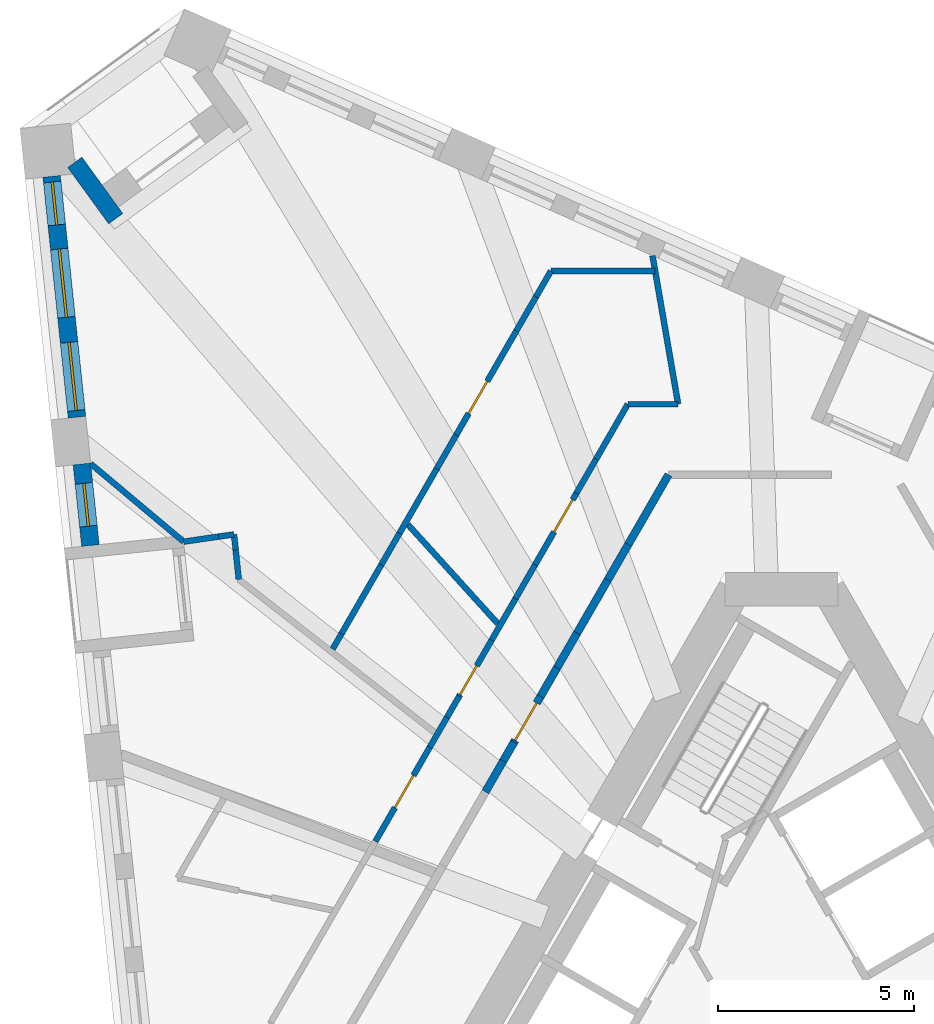
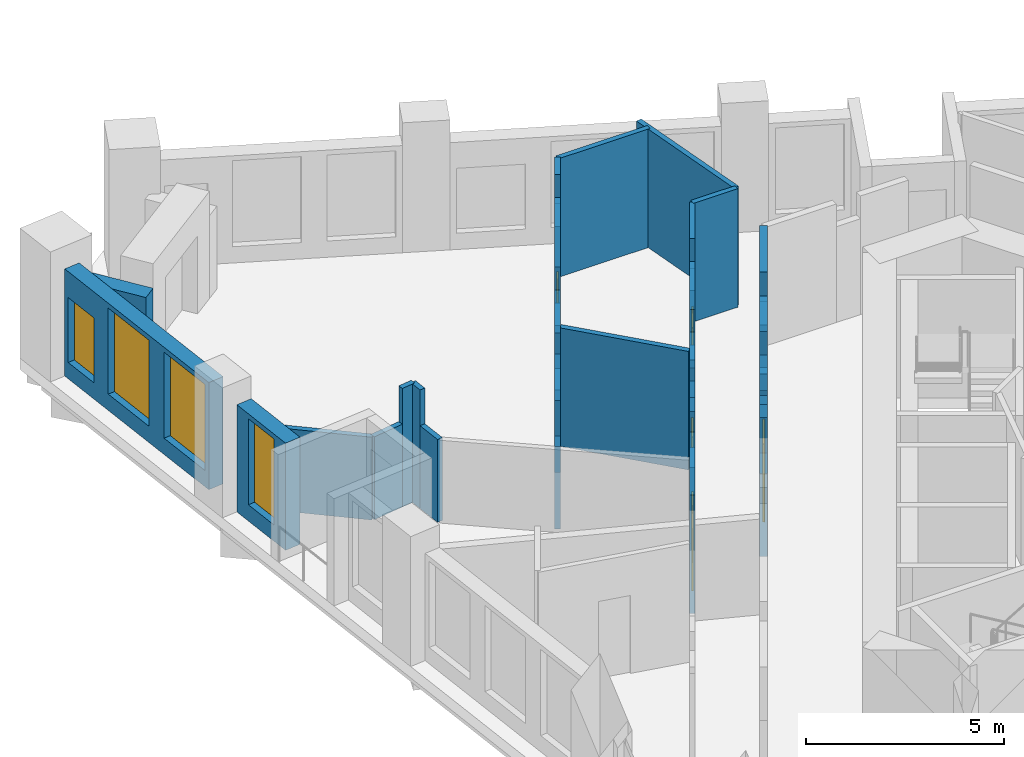
# One storey, part 7 of 14: 37 walls, 5 doors, 4 windows, 9 openings.
"""IFC4 building model written with IfcOpenShell, lengths in metres."""

from ifc_helpers import new_model, si_unit, direction, frame, frame_2d, origin, place, context, subcontext, project, spatial, polyline, rectangle, outline, extrude, material, layer, layer_set, type_object, element, fill, save


model = new_model("IFC4")

# Units and contexts
model_context = context("Model", 3, precision=1e-05, world=origin(), true_north=direction((0.0, 1.0)))
body_context = subcontext(model_context, "Body", "Model", "MODEL_VIEW")
ifc_project = project(units=[si_unit("LENGTHUNIT", "METRE"), si_unit("AREAUNIT", "SQUARE_METRE"), si_unit("VOLUMEUNIT", "CUBIC_METRE"), si_unit("PLANEANGLEUNIT", "RADIAN"), si_unit("MASSUNIT", "GRAM", prefix="KILO")], contexts=[model_context])

# Site, building, storey
site_placement = place(None, origin())
site = spatial("IfcSite", under=ifc_project, at=site_placement, CompositionType="ELEMENT")
building_placement = place(site_placement, origin())
building = spatial("IfcBuilding", under=site, at=building_placement, Name="Tramontana Tower", CompositionType="ELEMENT")
storey_placement = place(building_placement, frame((0.0, 0.0, 190.800048828125)))
storey = spatial("IfcBuildingStorey", under=building, at=storey_placement, Name="L44", CompositionType="ELEMENT", Elevation=190.800048828125)

# Walls
ifc_material_1 = material(Name="Blockwork", Category="masonry")
ifc_layer_1 = layer(ifc_material_1, 0.199951171875)
ifc_layer_set_1 = layer_set([ifc_layer_1], Name="ENTRY WALL 200")
wall_type_1 = type_object("IfcWallType", Name="ENTRY WALL 200", PredefinedType="SOLIDWALL", material=ifc_layer_set_1)
wall_1_placement = place(storey_placement, frame((-7.561279296875, 5.403564453125, 0.0), z_axis=(0.0, 0.0, 1.0), x_axis=(0.499977996243, 0.866038107287, 0.0)))
element("IfcWall", 1, at=wall_1_placement, inside=storey, type_object=wall_type_1, Name="Wall v42-ew4-5", PredefinedType="SOLIDWALL", context=body_context, shape_type="SweptSolid", body=[
    extrude(rectangle(XDim=0.90966796875, YDim=0.199951171875, at=frame_2d((0.454833984375, 0.0))), origin(), (0.0, 0.0, 1.0), 2.550048828125),
])
wall_2_placement = place(storey_placement, frame((-7.1064453125, 6.19140625, 0.0), z_axis=(0.0, 0.0, 1.0), x_axis=(0.499986818241, 0.866033014143, 0.0)))
element("IfcWall", 2, at=wall_2_placement, inside=storey, type_object=wall_type_1, Name="Wall v42-ew4-6", PredefinedType="SOLIDWALL", context=body_context, shape_type="SweptSolid", body=[
    extrude(rectangle(XDim=0.5595703125, YDim=0.199951171875, at=frame_2d((0.27978515625, 0.0))), origin(), (0.0, 0.0, 1.0), 3.64990234375),
])

# Wall, opening, door
wall_3_placement = place(storey_placement, frame((-6.82666015625, 6.676025390625, 0.0), z_axis=(0.0, 0.0, 1.0), x_axis=(0.500062873969, 0.865989100438, 0.0)))
wall_3 = element("IfcWall", 3, at=wall_3_placement, inside=storey, type_object=wall_type_1, Name="Wall v42-ew4-7", PredefinedType="SOLIDWALL", context=body_context, shape_type="SweptSolid", body=[
    extrude(outline(polyline([(0.0, 0.0), (1.344970703125, 0.0), (1.344970703125, 2.550048828125), (0.391357421875, 2.550048828125), (0.391357421875, 3.64990234375), (0.0, 3.64990234375), (0.0, 0.0)])), frame((0.0, 0.10009765625, 0.0), z_axis=(0.0, -1.0, 0.0), x_axis=(1.0, 0.0, 0.0)), (0.0, 0.0, 1.0), 0.199951171875),
])
opening_1_placement = place(wall_3_placement, frame((0.050048828125, 0.0, 0.0)))
opening_1 = element("IfcOpeningElement", 4, at=opening_1_placement, cuts=wall_3, Name="Opening B4C-19", PredefinedType="OPENING", context=body_context, shape_type="SweptSolid", body=[
    extrude(rectangle(XDim=1.10009765625, YDim=2.39990234375, at=frame_2d((0.550048828125, 1.199951171875))), frame((0.0, 0.10986328125, 0.0), z_axis=(0.0, -1.0, 0.0), x_axis=(1.0, 0.0, 0.0)), (0.0, 0.0, 1.0), 0.219970703125),
])
ifc_material_2 = material(Name="Painted timber", Category="wood")
door_type_1 = type_object("IfcDoorType", Name="DOOR ENTRY 1100", OperationType="SINGLE_SWING_LEFT", PredefinedType="DOOR", material=ifc_material_2)
door_1_placement = place(opening_1_placement, origin())
door_1 = element("IfcDoor", 5, at=door_1_placement, inside=storey, type_object=door_type_1, Name="Door B4C-19", OperationType="SINGLE_SWING_LEFT", OverallHeight=2.39990234375, OverallWidth=1.10009765625, PredefinedType="DOOR", context=body_context, shape_type="SweptSolid", body=[
    extrude(rectangle(XDim=1.10009765625, YDim=2.39990234375, at=frame_2d((0.550048828125, 1.199951171875))), frame((0.0, 0.02490234375, 0.0), z_axis=(0.0, -1.0, 0.0), x_axis=(1.0, 0.0, 0.0)), (0.0, 0.0, 1.0), 0.050048828125),
])
fill(opening_1, door_1)

# Walls
wall_4_placement = place(storey_placement, frame((-6.154052734375, 7.8408203125, 0.0), z_axis=(0.0, 0.0, 1.0), x_axis=(0.499822960955, 0.8661275932, 0.0)))
element("IfcWall", 6, at=wall_4_placement, inside=storey, type_object=wall_type_1, Name="Wall v42-ew4-8", PredefinedType="SOLIDWALL", context=body_context, shape_type="SweptSolid", body=[
    extrude(rectangle(XDim=0.841064453125, YDim=0.199951171875, at=frame_2d((0.42041015625, 0.0))), origin(), (0.0, 0.0, 1.0), 3.64990234375),
])
wall_5_placement = place(storey_placement, frame((-5.733642578125, 8.5693359375, 0.0), z_axis=(0.0, 0.0, 1.0), x_axis=(0.500079402778, 0.865979555715, 0.0)))
element("IfcWall", 7, at=wall_5_placement, inside=storey, type_object=wall_type_1, Name="Wall v42-ew4-9", PredefinedType="SOLIDWALL", context=body_context, shape_type="SweptSolid", body=[
    extrude(rectangle(XDim=1.026123046875, YDim=0.199951171875, at=frame_2d((0.51318359375, 0.0))), origin(), (0.0, 0.0, 1.0), 2.550048828125),
])
wall_6_placement = place(storey_placement, frame((-5.220458984375, 9.4580078125, 0.0), z_axis=(0.0, 0.0, 1.0), x_axis=(0.500031717574, 0.86600709086, 0.0)))
element("IfcWall", 8, at=wall_6_placement, inside=storey, type_object=wall_type_1, Name="Wall v42-ew4-10", PredefinedType="SOLIDWALL", context=body_context, shape_type="SweptSolid", body=[
    extrude(rectangle(XDim=1.57177734375, YDim=0.199951171875, at=frame_2d((0.785888671875, 0.0))), origin(), (0.0, 0.0, 1.0), 3.64990234375),
])
wall_7_placement = place(storey_placement, frame((-4.4345703125, 10.819091796875, 0.0), z_axis=(0.0, 0.0, 1.0), x_axis=(0.500054530113, 0.86599391852, 0.0)))
element("IfcWall", 9, at=wall_7_placement, inside=storey, type_object=wall_type_1, Name="Wall v42-ew4-11", PredefinedType="SOLIDWALL", context=body_context, shape_type="SweptSolid", body=[
    extrude(rectangle(XDim=1.03955078125, YDim=0.199951171875, at=frame_2d((0.519775390625, 0.0))), origin(), (0.0, 0.0, 1.0), 2.75),
])
wall_8_placement = place(storey_placement, frame((-3.914794921875, 11.71923828125, 0.0), z_axis=(0.0, 0.0, 1.0), x_axis=(0.499982825521, 0.866035319247, 0.0)))
element("IfcWall", 10, at=wall_8_placement, inside=storey, type_object=wall_type_1, Name="Wall v42-ew4-12", PredefinedType="SOLIDWALL", context=body_context, shape_type="SweptSolid", body=[
    extrude(rectangle(XDim=2.05615234375, YDim=0.199951171875, at=frame_2d((1.028076171875, 0.0))), origin(), (0.0, 0.0, 1.0), 3.64990234375),
])

# Wall, openings, windows
ifc_material_3 = material(Name="Precast concrete 60 MPa", Category="concrete")
ifc_layer_2 = layer(ifc_material_3, 0.449951171875)
ifc_layer_set_2 = layer_set([ifc_layer_2], Name="Precast concrete 60 MPa, 450 mm")
wall_type_2 = type_object("IfcWallType", Name="EW1 Stone-faced precast wall 450", PredefinedType="SOLIDWALL", material=ifc_layer_set_2)
wall_9_placement = place(storey_placement, frame((-18.63427734375, 21.116455078125, 0.0), z_axis=(0.0, 0.0, 1.0), x_axis=(0.104522399115, -0.994522532718, 0.0)))
wall_9 = element("IfcWall", 11, at=wall_9_placement, inside=storey, type_object=wall_type_2, Name="External wall L44 face 0 bay 1", PredefinedType="SOLIDWALL", context=body_context, shape_type="SweptSolid", body=[
    extrude(rectangle(XDim=6.182861328125, YDim=0.449951171875, at=frame_2d((3.09130859375, 0.0))), origin(), (0.0, 0.0, 1.0), 3.300048828125),
])
opening_2_placement = place(wall_9_placement, frame((0.147216796875, 0.0, 0.5)))
opening_2 = element("IfcOpeningElement", 12, at=opening_2_placement, cuts=wall_9, Name="Opening N2L", PredefinedType="OPENING", context=body_context, shape_type="SweptSolid", body=[
    extrude(rectangle(XDim=1.10009765625, YDim=2.0, at=frame_2d((0.550048828125, 1.0))), frame((0.0, 0.23486328125, 0.0), z_axis=(0.0, -1.0, 0.0), x_axis=(1.0, 0.0, 0.0)), (0.0, 0.0, 1.0), 0.469970703125),
])
opening_3_placement = place(wall_9_placement, frame((1.866455078125, 0.0, 0.5)))
opening_3 = element("IfcOpeningElement", 13, at=opening_3_placement, cuts=wall_9, Name="Opening M2", PredefinedType="OPENING", context=body_context, shape_type="SweptSolid", body=[
    extrude(rectangle(XDim=1.75, YDim=2.64990234375, at=frame_2d((0.875, 1.324951171875))), frame((0.0, 0.23486328125, 0.0), z_axis=(0.0, -1.0, 0.0), x_axis=(1.0, 0.0, 0.0)), (0.0, 0.0, 1.0), 0.469970703125),
])
opening_4_placement = place(wall_9_placement, frame((4.2607421875, 0.0, 0.5)))
opening_4 = element("IfcOpeningElement", 14, at=opening_4_placement, cuts=wall_9, Name="Opening M2", PredefinedType="OPENING", context=body_context, shape_type="SweptSolid", body=[
    extrude(rectangle(XDim=1.75, YDim=2.64990234375, at=frame_2d((0.875, 1.324951171875))), frame((0.0, 0.23486328125, 0.0), z_axis=(0.0, -1.0, 0.0), x_axis=(1.0, 0.0, 0.0)), (0.0, 0.0, 1.0), 0.469970703125),
])
ifc_material_4 = material(Name="Aluminum frame, double glazing unit", Category="aluminium")
window_type_1 = type_object("IfcWindowType", Name="M2 Window 1.75 x 2.65", PartitioningType="SINGLE_PANEL", PredefinedType="WINDOW", material=ifc_material_4)
window_1_placement = place(opening_3_placement, origin())
window_1 = element("IfcWindow", 15, at=window_1_placement, inside=storey, type_object=window_type_1, Name="Window M2 L44 face 0 module 2", OverallHeight=2.64990234375, OverallWidth=1.75, PartitioningType="SINGLE_PANEL", PredefinedType="WINDOW", context=body_context, shape_type="SweptSolid", body=[
    extrude(rectangle(XDim=1.75, YDim=2.64990234375, at=frame_2d((0.875, 1.324951171875))), frame((0.0, 0.030029296875, 0.0), z_axis=(0.0, -1.0, 0.0), x_axis=(1.0, 0.0, 0.0)), (0.0, 0.0, 1.0), 0.06005859375),
])
fill(opening_3, window_1)
window_2_placement = place(opening_4_placement, origin())
window_2 = element("IfcWindow", 16, at=window_2_placement, inside=storey, type_object=window_type_1, Name="Window M2 L44 face 0 module 3", OverallHeight=2.64990234375, OverallWidth=1.75, PartitioningType="SINGLE_PANEL", PredefinedType="WINDOW", context=body_context, shape_type="SweptSolid", body=[
    extrude(rectangle(XDim=1.75, YDim=2.64990234375, at=frame_2d((0.875, 1.324951171875))), frame((0.0, 0.030029296875, 0.0), z_axis=(0.0, -1.0, 0.0), x_axis=(1.0, 0.0, 0.0)), (0.0, 0.0, 1.0), 0.06005859375),
])
fill(opening_4, window_2)
ifc_material_5 = material(Name="Aluminum frame, double glazing unit", Category="aluminium")
window_type_2 = type_object("IfcWindowType", Name="N2L Window 1.1 x 2", PartitioningType="SINGLE_PANEL", PredefinedType="WINDOW", material=ifc_material_5)
window_3_placement = place(opening_2_placement, origin())
window_3 = element("IfcWindow", 17, at=window_3_placement, inside=storey, type_object=window_type_2, Name="Window N2L L44 face 0 module 1", OverallHeight=2.0, OverallWidth=1.10009765625, PartitioningType="SINGLE_PANEL", PredefinedType="WINDOW", context=body_context, shape_type="SweptSolid", body=[
    extrude(rectangle(XDim=1.10009765625, YDim=2.0, at=frame_2d((0.550048828125, 1.0))), frame((0.0, 0.030029296875, 0.0), z_axis=(0.0, -1.0, 0.0), x_axis=(1.0, 0.0, 0.0)), (0.0, 0.0, 1.0), 0.06005859375),
])
fill(opening_2, window_3)

# Wall, opening, window
wall_10_placement = place(storey_placement, frame((-17.862548828125, 13.774169921875, 0.0), z_axis=(0.0, 0.0, 1.0), x_axis=(0.104442071108, -0.994530971756, 0.0)))
wall_10 = element("IfcWall", 18, at=wall_10_placement, inside=storey, type_object=wall_type_2, Name="External wall L44 face 0 bay 2", PredefinedType="SOLIDWALL", context=body_context, shape_type="SweptSolid", body=[
    extrude(rectangle(XDim=2.094482421875, YDim=0.449951171875, at=frame_2d((1.04736328125, 0.0))), origin(), (0.0, 0.0, 1.0), 3.300048828125),
])
opening_5_placement = place(wall_10_placement, frame((0.4970703125, 0.0, 0.5)))
opening_5 = element("IfcOpeningElement", 19, at=opening_5_placement, cuts=wall_10, Name="Opening N2", PredefinedType="OPENING", context=body_context, shape_type="SweptSolid", body=[
    extrude(rectangle(XDim=1.10009765625, YDim=2.64990234375, at=frame_2d((0.550048828125, 1.324951171875))), frame((0.0, 0.23486328125, 0.0), z_axis=(0.0, -1.0, 0.0), x_axis=(1.0, 0.0, 0.0)), (0.0, 0.0, 1.0), 0.469970703125),
])
ifc_material_6 = material(Name="Aluminum frame, double glazing unit", Category="aluminium")
window_type_3 = type_object("IfcWindowType", Name="N2 Window 1.1 x 2.65", PartitioningType="SINGLE_PANEL", PredefinedType="WINDOW", material=ifc_material_6)
window_4_placement = place(opening_5_placement, origin())
window_4 = element("IfcWindow", 20, at=window_4_placement, inside=storey, type_object=window_type_3, Name="Window N2 L44 face 0 module 4", OverallHeight=2.64990234375, OverallWidth=1.10009765625, PartitioningType="SINGLE_PANEL", PredefinedType="WINDOW", context=body_context, shape_type="SweptSolid", body=[
    extrude(rectangle(XDim=1.10009765625, YDim=2.64990234375, at=frame_2d((0.550048828125, 1.324951171875))), frame((0.0, 0.030029296875, 0.0), z_axis=(0.0, -1.0, 0.0), x_axis=(1.0, 0.0, 0.0)), (0.0, 0.0, 1.0), 0.06005859375),
])
fill(opening_5, window_4)

# Walls
wall_11_placement = place(storey_placement, frame((-18.04345703125, 21.474853515625, 0.0), z_axis=(0.0, 0.0, 1.0), x_axis=(0.587722853316, -0.809062326209, 0.0)))
element("IfcWall", 21, at=wall_11_placement, inside=storey, type_object=wall_type_2, Name="Corner loggia side wall L44 K40l", PredefinedType="SOLIDWALL", context=body_context, shape_type="SweptSolid", body=[
    extrude(rectangle(XDim=1.779052734375, YDim=0.449951171875, at=frame_2d((0.8896484375, 0.0))), origin(), (0.0, 0.0, 1.0), 2.550048828125),
])
ifc_material_7 = material(Name="Gypsum board partition")
ifc_layer_3 = layer(ifc_material_7, 0.14990234375)
ifc_layer_set_3 = layer_set([ifc_layer_3], Name="PARTITION 150")
wall_type_3 = type_object("IfcWallType", Name="PARTITION 150", PredefinedType="PARTITIONING", material=ifc_layer_set_3)
wall_12_placement = place(storey_placement, frame((-15.26611328125, 11.790283203125, 0.0), z_axis=(0.0, 0.0, 1.0), x_axis=(-0.766063729465, 0.642764624414, 0.0)))
element("IfcWall", 22, at=wall_12_placement, inside=storey, type_object=wall_type_3, Name="Wall v42-pw01-0", PredefinedType="PARTITIONING", context=body_context, shape_type="SweptSolid", body=[
    extrude(rectangle(XDim=3.0947265625, YDim=0.14990234375, at=frame_2d((1.54736328125, 0.0))), origin(), (0.0, 0.0, 1.0), 2.550048828125),
])

# Wall, opening, door
wall_13_placement = place(storey_placement, frame((-10.369384765625, 4.1396484375, 0.0), z_axis=(0.0, 0.0, 1.0), x_axis=(0.50000932403, 0.866020020486, 0.0)))
wall_13 = element("IfcWall", 23, at=wall_13_placement, inside=storey, type_object=wall_type_3, Name="Wall v42-pw02-4", PredefinedType="PARTITIONING", context=body_context, shape_type="SweptSolid", body=[
    extrude(rectangle(XDim=2.77490234375, YDim=0.14990234375, at=frame_2d((1.387451171875, 0.0))), origin(), (0.0, 0.0, 1.0), 3.64990234375),
])
opening_6_placement = place(wall_13_placement, frame((0.993896484375, 0.0, 0.0)))
opening_6 = element("IfcOpeningElement", 24, at=opening_6_placement, cuts=wall_13, Name="Opening B4C-04", PredefinedType="OPENING", context=body_context, shape_type="SweptSolid", body=[
    extrude(rectangle(XDim=0.949951171875, YDim=2.39990234375, at=frame_2d((0.47509765625, 1.199951171875))), frame((0.0, 0.0849609375, 0.0), z_axis=(0.0, -1.0, 0.0), x_axis=(1.0, 0.0, 0.0)), (0.0, 0.0, 1.0), 0.169921875),
])
ifc_material_8 = material(Name="Painted timber", Category="wood")
door_type_2 = type_object("IfcDoorType", Name="DOOR ROOM 950", OperationType="SINGLE_SWING_LEFT", PredefinedType="DOOR", material=ifc_material_8)
door_2_placement = place(opening_6_placement, origin())
door_2 = element("IfcDoor", 25, at=door_2_placement, inside=storey, type_object=door_type_2, Name="Door B4C-04", OperationType="SINGLE_SWING_RIGHT", OverallHeight=2.39990234375, OverallWidth=0.949951171875, PredefinedType="DOOR", context=body_context, shape_type="SweptSolid", body=[
    extrude(rectangle(XDim=0.949951171875, YDim=2.39990234375, at=frame_2d((0.47509765625, 1.199951171875))), frame((0.0, 0.02490234375, 0.0), z_axis=(0.0, -1.0, 0.0), x_axis=(1.0, 0.0, 0.0)), (0.0, 0.0, 1.0), 0.050048828125),
])
fill(opening_6, door_2)

# Walls
wall_14_placement = place(storey_placement, frame((-8.98193359375, 6.542724609375, 0.0), z_axis=(0.0, 0.0, 1.0), x_axis=(0.499969398072, 0.866043071095, 0.0)))
element("IfcWall", 26, at=wall_14_placement, inside=storey, type_object=wall_type_3, Name="Wall v42-pw02-5", PredefinedType="PARTITIONING", context=body_context, shape_type="SweptSolid", body=[
    extrude(rectangle(XDim=0.88427734375, YDim=0.14990234375, at=frame_2d((0.442138671875, 0.0))), origin(), (0.0, 0.0, 1.0), 2.550048828125),
])
wall_15_placement = place(storey_placement, frame((-8.539794921875, 7.30859375, 0.0), z_axis=(0.0, 0.0, 1.0), x_axis=(0.500007577232, 0.866021029023, 0.0)))
element("IfcWall", 27, at=wall_15_placement, inside=storey, type_object=wall_type_3, Name="Wall v42-pw02-6", PredefinedType="PARTITIONING", context=body_context, shape_type="SweptSolid", body=[
    extrude(rectangle(XDim=0.61767578125, YDim=0.14990234375, at=frame_2d((0.308837890625, 0.0))), origin(), (0.0, 0.0, 1.0), 3.64990234375),
])

# Wall, opening, door
wall_16_placement = place(storey_placement, frame((-8.23095703125, 7.843505859375, 0.0), z_axis=(0.0, 0.0, 1.0), x_axis=(0.499952654668, 0.866052736899, 0.0)))
wall_16 = element("IfcWall", 28, at=wall_16_placement, inside=storey, type_object=wall_type_3, Name="Wall v42-pw02-7", PredefinedType="PARTITIONING", context=body_context, shape_type="SweptSolid", body=[
    extrude(outline(polyline([(0.0, 0.0), (1.652587890625, 0.0), (1.652587890625, 2.550048828125), (0.7255859375, 2.550048828125), (0.7255859375, 3.64990234375), (0.0, 3.64990234375), (0.0, 0.0)])), frame((0.0, 0.074951171875, 0.0), z_axis=(0.0, -1.0, 0.0), x_axis=(1.0, 0.0, 0.0)), (0.0, 0.0, 1.0), 0.14990234375),
])
opening_7_placement = place(wall_16_placement, frame((0.050048828125, 0.0, 0.0)))
opening_7 = element("IfcOpeningElement", 29, at=opening_7_placement, cuts=wall_16, Name="Opening B4C-02", PredefinedType="OPENING", context=body_context, shape_type="SweptSolid", body=[
    extrude(rectangle(XDim=0.85009765625, YDim=2.39990234375, at=frame_2d((0.425048828125, 1.199951171875))), frame((0.0, 0.0849609375, 0.0), z_axis=(0.0, -1.0, 0.0), x_axis=(1.0, 0.0, 0.0)), (0.0, 0.0, 1.0), 0.169921875),
])
ifc_material_9 = material(Name="Painted timber", Category="wood")
door_type_3 = type_object("IfcDoorType", Name="DOOR BATH 850", OperationType="SINGLE_SWING_LEFT", PredefinedType="DOOR", material=ifc_material_9)
door_3_placement = place(opening_7_placement, origin())
door_3 = element("IfcDoor", 30, at=door_3_placement, inside=storey, type_object=door_type_3, Name="Door B4C-02", OperationType="SINGLE_SWING_RIGHT", OverallHeight=2.39990234375, OverallWidth=0.85009765625, PredefinedType="DOOR", context=body_context, shape_type="SweptSolid", body=[
    extrude(rectangle(XDim=0.85009765625, YDim=2.39990234375, at=frame_2d((0.425048828125, 1.199951171875))), frame((0.0, 0.02490234375, 0.0), z_axis=(0.0, -1.0, 0.0), x_axis=(1.0, 0.0, 0.0)), (0.0, 0.0, 1.0), 0.050048828125),
])
fill(opening_7, door_3)

# Walls
wall_17_placement = place(storey_placement, frame((-7.40478515625, 9.274658203125, 0.0), z_axis=(0.0, 0.0, 1.0), x_axis=(0.500061746146, 0.865989751695, 0.0)))
element("IfcWall", 31, at=wall_17_placement, inside=storey, type_object=wall_type_3, Name="Wall v42-pw02-8", PredefinedType="PARTITIONING", context=body_context, shape_type="SweptSolid", body=[
    extrude(rectangle(XDim=1.224853515625, YDim=0.14990234375, at=frame_2d((0.6123046875, 0.0))), origin(), (0.0, 0.0, 1.0), 3.64990234375),
])
wall_18_placement = place(storey_placement, frame((-6.792236328125, 10.33544921875, 0.0), z_axis=(0.0, 0.0, 1.0), x_axis=(0.499849532436, 0.866112258846, 0.0)))
element("IfcWall", 32, at=wall_18_placement, inside=storey, type_object=wall_type_3, Name="Wall v42-pw02-9", PredefinedType="PARTITIONING", context=body_context, shape_type="SweptSolid", body=[
    extrude(rectangle(XDim=0.997802734375, YDim=0.14990234375, at=frame_2d((0.4990234375, 0.0))), origin(), (0.0, 0.0, 1.0), 2.550048828125),
])

# Wall, opening, door
wall_19_placement = place(storey_placement, frame((-6.29345703125, 11.19970703125, 0.0), z_axis=(0.0, 0.0, 1.0), x_axis=(0.500073154421, 0.86598316394, 0.0)))
wall_19 = element("IfcWall", 33, at=wall_19_placement, inside=storey, type_object=wall_type_3, Name="Wall v42-pw02-10", PredefinedType="PARTITIONING", context=body_context, shape_type="SweptSolid", body=[
    extrude(rectangle(XDim=2.109130859375, YDim=0.14990234375, at=frame_2d((1.0546875, 0.0))), origin(), (0.0, 0.0, 1.0), 3.64990234375),
])
opening_8_placement = place(wall_19_placement, frame((0.971435546875, 0.0, 0.0)))
opening_8 = element("IfcOpeningElement", 34, at=opening_8_placement, cuts=wall_19, Name="Opening B4C-01", PredefinedType="OPENING", context=body_context, shape_type="SweptSolid", body=[
    extrude(rectangle(XDim=0.949951171875, YDim=2.39990234375, at=frame_2d((0.47509765625, 1.199951171875))), frame((0.0, 0.0849609375, 0.0), z_axis=(0.0, -1.0, 0.0), x_axis=(1.0, 0.0, 0.0)), (0.0, 0.0, 1.0), 0.169921875),
])
door_4_placement = place(opening_8_placement, origin())
door_4 = element("IfcDoor", 35, at=door_4_placement, inside=storey, type_object=door_type_2, Name="Door B4C-01", OperationType="SINGLE_SWING_LEFT", OverallHeight=2.39990234375, OverallWidth=0.949951171875, PredefinedType="DOOR", context=body_context, shape_type="SweptSolid", body=[
    extrude(rectangle(XDim=0.949951171875, YDim=2.39990234375, at=frame_2d((0.47509765625, 1.199951171875))), frame((0.0, 0.02490234375, 0.0), z_axis=(0.0, -1.0, 0.0), x_axis=(1.0, 0.0, 0.0)), (0.0, 0.0, 1.0), 0.050048828125),
])
fill(opening_8, door_4)

# Walls
wall_20_placement = place(storey_placement, frame((-5.23876953125, 13.026123046875, 0.0), z_axis=(0.0, 0.0, 1.0), x_axis=(0.499946326053, 0.866056390234, 0.0)))
element("IfcWall", 36, at=wall_20_placement, inside=storey, type_object=wall_type_3, Name="Wall v42-pw02-11", PredefinedType="PARTITIONING", context=body_context, shape_type="SweptSolid", body=[
    extrude(rectangle(XDim=1.0068359375, YDim=0.14990234375, at=frame_2d((0.50341796875, 0.0))), origin(), (0.0, 0.0, 1.0), 2.75),
])
wall_21_placement = place(storey_placement, frame((-4.7353515625, 13.898193359375, 0.0), z_axis=(0.0, 0.0, 1.0), x_axis=(0.499983569942, 0.866034889475, 0.0)))
element("IfcWall", 37, at=wall_21_placement, inside=storey, type_object=wall_type_3, Name="Wall v42-pw02-12", PredefinedType="PARTITIONING", context=body_context, shape_type="SweptSolid", body=[
    extrude(rectangle(XDim=1.61865234375, YDim=0.14990234375, at=frame_2d((0.809326171875, 0.0))), origin(), (0.0, 0.0, 1.0), 3.64990234375),
])
wall_22_placement = place(storey_placement, frame((-13.980224609375, 11.97607421875, 0.0), z_axis=(0.0, 0.0, 1.0), x_axis=(-0.989726419038, -0.142974177594, 0.0)))
element("IfcWall", 38, at=wall_22_placement, inside=storey, type_object=wall_type_3, Name="Wall v42-pw04-0", PredefinedType="PARTITIONING", context=body_context, shape_type="SweptSolid", body=[
    extrude(rectangle(XDim=0.396240234375, YDim=0.14990234375, at=frame_2d((0.1982421875, 0.0))), origin(), (0.0, 0.0, 1.0), 3.64990234375),
])
wall_23_placement = place(storey_placement, frame((-14.372314453125, 11.91943359375, 0.0), z_axis=(0.0, 0.0, 1.0), x_axis=(-0.989721130338, -0.143010783379, 0.0)))
element("IfcWall", 39, at=wall_23_placement, inside=storey, type_object=wall_type_3, Name="Wall v42-pw04-1", PredefinedType="PARTITIONING", context=body_context, shape_type="SweptSolid", body=[
    extrude(rectangle(XDim=0.903076171875, YDim=0.14990234375, at=frame_2d((0.45166015625, 0.0))), origin(), (0.0, 0.0, 1.0), 2.550048828125),
])
wall_24_placement = place(storey_placement, frame((-13.857421875, 10.82666015625, 0.0), z_axis=(0.0, 0.0, 1.0), x_axis=(-0.104549570968, 0.994519676633, 0.0)))
element("IfcWall", 40, at=wall_24_placement, inside=storey, type_object=wall_type_3, Name="Wall v42-pw05-0", PredefinedType="PARTITIONING", context=body_context, shape_type="SweptSolid", body=[
    extrude(rectangle(XDim=0.751953125, YDim=0.14990234375, at=frame_2d((0.3759765625, 0.0))), origin(), (0.0, 0.0, 1.0), 2.550048828125),
])
wall_25_placement = place(storey_placement, frame((-13.93603515625, 11.574462890625, 0.0), z_axis=(0.0, 0.0, 1.0), x_axis=(-0.104495033746, 0.994525408385, 0.0)))
element("IfcWall", 41, at=wall_25_placement, inside=storey, type_object=wall_type_3, Name="Wall v42-pw05-1", PredefinedType="PARTITIONING", context=body_context, shape_type="SweptSolid", body=[
    extrude(rectangle(XDim=0.40185546875, YDim=0.14990234375, at=frame_2d((0.200927734375, 0.0))), origin(), (0.0, 0.0, 1.0), 3.64990234375),
])
wall_26_placement = place(storey_placement, frame((-11.460693359375, 9.049560546875, 0.0), z_axis=(0.0, 0.0, 1.0), x_axis=(0.500160228243, 0.8659328762, 0.0)))
element("IfcWall", 42, at=wall_26_placement, inside=storey, type_object=wall_type_3, Name="Wall v42-pw08-0", PredefinedType="PARTITIONING", context=body_context, shape_type="SweptSolid", body=[
    extrude(rectangle(XDim=0.450439453125, YDim=0.14990234375, at=frame_2d((0.22509765625, 0.0))), origin(), (0.0, 0.0, 1.0), 2.550048828125),
])
wall_27_placement = place(storey_placement, frame((-11.2353515625, 9.439697265625, 0.0), z_axis=(0.0, 0.0, 1.0), x_axis=(0.500009753642, 0.866019772443, 0.0)))
element("IfcWall", 43, at=wall_27_placement, inside=storey, type_object=wall_type_3, Name="Wall v42-pw08-1", PredefinedType="PARTITIONING", context=body_context, shape_type="SweptSolid", body=[
    extrude(rectangle(XDim=2.03515625, YDim=0.14990234375, at=frame_2d((1.017578125, 0.0))), origin(), (0.0, 0.0, 1.0), 3.64990234375),
])
wall_28_placement = place(storey_placement, frame((-10.2177734375, 11.2021484375, 0.0), z_axis=(0.0, 0.0, 1.0), x_axis=(0.499935264145, 0.866062775822, 0.0)))
element("IfcWall", 44, at=wall_28_placement, inside=storey, type_object=wall_type_3, Name="Wall v42-pw08-2", PredefinedType="PARTITIONING", context=body_context, shape_type="SweptSolid", body=[
    extrude(rectangle(XDim=0.9267578125, YDim=0.14990234375, at=frame_2d((0.46337890625, 0.0))), origin(), (0.0, 0.0, 1.0), 2.550048828125),
])
wall_29_placement = place(storey_placement, frame((-9.75439453125, 12.0048828125, 0.0), z_axis=(0.0, 0.0, 1.0), x_axis=(0.499971120268, 0.866042076863, 0.0)))
element("IfcWall", 45, at=wall_29_placement, inside=storey, type_object=wall_type_3, Name="Wall v42-pw08-3", PredefinedType="PARTITIONING", context=body_context, shape_type="SweptSolid", body=[
    extrude(rectangle(XDim=1.89794921875, YDim=0.14990234375, at=frame_2d((0.948974609375, 0.0))), origin(), (0.0, 0.0, 1.0), 3.64990234375),
])
wall_30_placement = place(storey_placement, frame((-8.805419921875, 13.648681640625, 0.0), z_axis=(0.0, 0.0, 1.0), x_axis=(0.499955472713, 0.866051110099, 0.0)))
element("IfcWall", 46, at=wall_30_placement, inside=storey, type_object=wall_type_3, Name="Wall v42-pw08-4", PredefinedType="PARTITIONING", context=body_context, shape_type="SweptSolid", body=[
    extrude(rectangle(XDim=0.99755859375, YDim=0.14990234375, at=frame_2d((0.498779296875, 0.0))), origin(), (0.0, 0.0, 1.0), 2.550048828125),
])

# Wall, opening, door
wall_31_placement = place(storey_placement, frame((-8.306640625, 14.5126953125, 0.0), z_axis=(0.0, 0.0, 1.0), x_axis=(0.500034855457, 0.866005279042, 0.0)))
wall_31 = element("IfcWall", 47, at=wall_31_placement, inside=storey, type_object=wall_type_3, Name="Wall v42-pw08-5", PredefinedType="PARTITIONING", context=body_context, shape_type="SweptSolid", body=[
    extrude(rectangle(XDim=3.066650390625, YDim=0.14990234375, at=frame_2d((1.533203125, 0.0))), origin(), (0.0, 0.0, 1.0), 3.64990234375),
])
opening_9_placement = place(wall_31_placement, frame((0.636962890625, 0.0, 0.0)))
opening_9 = element("IfcOpeningElement", 48, at=opening_9_placement, cuts=wall_31, Name="Opening B4C-18", PredefinedType="OPENING", context=body_context, shape_type="SweptSolid", body=[
    extrude(rectangle(XDim=0.949951171875, YDim=2.39990234375, at=frame_2d((0.47509765625, 1.199951171875))), frame((0.0, 0.0849609375, 0.0), z_axis=(0.0, -1.0, 0.0), x_axis=(1.0, 0.0, 0.0)), (0.0, 0.0, 1.0), 0.169921875),
])
door_5_placement = place(opening_9_placement, origin())
door_5 = element("IfcDoor", 49, at=door_5_placement, inside=storey, type_object=door_type_2, Name="Door B4C-18", OperationType="SINGLE_SWING_RIGHT", OverallHeight=2.39990234375, OverallWidth=0.949951171875, PredefinedType="DOOR", context=body_context, shape_type="SweptSolid", body=[
    extrude(rectangle(XDim=0.949951171875, YDim=2.39990234375, at=frame_2d((0.47509765625, 1.199951171875))), frame((0.0, 0.02490234375, 0.0), z_axis=(0.0, -1.0, 0.0), x_axis=(1.0, 0.0, 0.0)), (0.0, 0.0, 1.0), 0.050048828125),
])
fill(opening_9, door_5)

# Walls
wall_32_placement = place(storey_placement, frame((-6.773193359375, 17.16845703125, 0.0), z_axis=(0.0, 0.0, 1.0), x_axis=(0.500051323872, 0.865995769906, 0.0)))
element("IfcWall", 50, at=wall_32_placement, inside=storey, type_object=wall_type_3, Name="Wall v42-pw08-6", PredefinedType="PARTITIONING", context=body_context, shape_type="SweptSolid", body=[
    extrude(rectangle(XDim=1.0068359375, YDim=0.14990234375, at=frame_2d((0.50341796875, 0.0))), origin(), (0.0, 0.0, 1.0), 2.75),
])
wall_33_placement = place(storey_placement, frame((-6.269775390625, 18.040283203125, 0.0), z_axis=(0.0, 0.0, 1.0), x_axis=(0.499999897272, 0.866025463095, 0.0)))
element("IfcWall", 51, at=wall_33_placement, inside=storey, type_object=wall_type_3, Name="Wall v42-pw08-7", PredefinedType="PARTITIONING", context=body_context, shape_type="SweptSolid", body=[
    extrude(rectangle(XDim=0.76171875, YDim=0.14990234375, at=frame_2d((0.380859375, 0.0))), origin(), (0.0, 0.0, 1.0), 3.64990234375),
])
wall_34_placement = place(storey_placement, frame((-7.24560546875, 9.7001953125, 0.0), z_axis=(0.0, 0.0, 1.0), x_axis=(-0.671864221402, 0.740674333293, 0.0)))
element("IfcWall", 52, at=wall_34_placement, inside=storey, type_object=wall_type_3, Name="Wall v42-pw13", PredefinedType="PARTITIONING", context=body_context, shape_type="SweptSolid", body=[
    extrude(rectangle(XDim=3.413330078125, YDim=0.14990234375, at=frame_2d((1.70654296875, 0.0))), origin(), (0.0, 0.0, 1.0), 3.64990234375),
])
wall_35_placement = place(storey_placement, frame((-5.888916015625, 18.699951171875, 0.0), z_axis=(0.0, 0.0, 1.0), x_axis=(1.0, 0.0, 0.0)))
element("IfcWall", 53, at=wall_35_placement, inside=storey, type_object=wall_type_3, Name="Wall v42-pw14", PredefinedType="PARTITIONING", context=body_context, shape_type="SweptSolid", body=[
    extrude(rectangle(XDim=2.659423828125, YDim=0.14990234375, at=frame_2d((1.32958984375, 0.0))), origin(), (0.0, 0.0, 1.0), 3.64990234375),
])
wall_36_placement = place(storey_placement, frame((-3.926025390625, 15.300048828125, 0.0), z_axis=(0.0, 0.0, 1.0), x_axis=(1.0, 0.0, 0.0)))
element("IfcWall", 54, at=wall_36_placement, inside=storey, type_object=wall_type_3, Name="Wall v42-pw17", PredefinedType="PARTITIONING", context=body_context, shape_type="SweptSolid", body=[
    extrude(rectangle(XDim=1.2822265625, YDim=0.14990234375, at=frame_2d((0.64111328125, 0.0))), origin(), (0.0, 0.0, 1.0), 3.64990234375),
])
wall_37_placement = place(storey_placement, frame((-2.640869140625, 15.303466796875, 0.0), z_axis=(0.0, 0.0, 1.0), x_axis=(-0.170123900048, 0.98542268019, 0.0)))
element("IfcWall", 55, at=wall_37_placement, inside=storey, type_object=wall_type_3, Name="Wall v42-pw18", PredefinedType="PARTITIONING", context=body_context, shape_type="SweptSolid", body=[
    extrude(rectangle(XDim=3.843017578125, YDim=0.14990234375, at=frame_2d((1.92138671875, 0.0))), origin(), (0.0, 0.0, 1.0), 3.64990234375),
])

save(model, "model.ifc")
